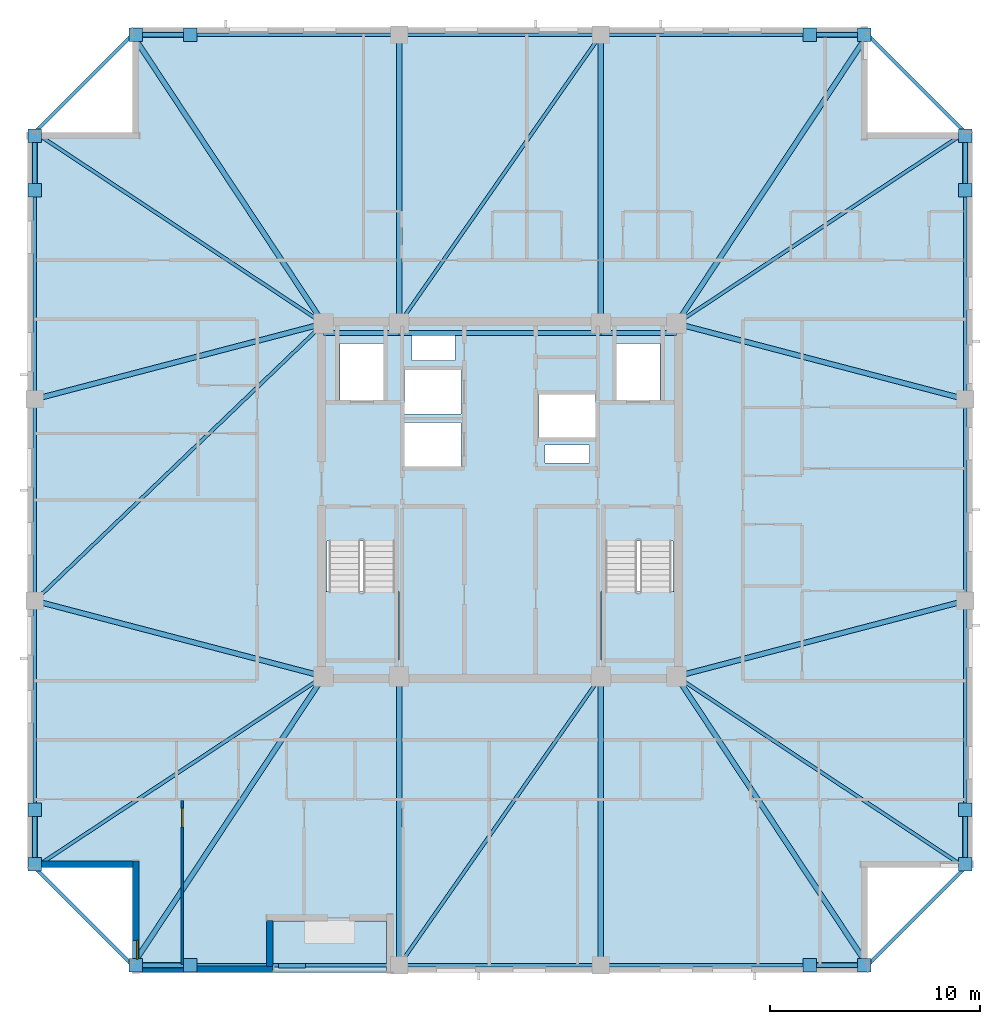
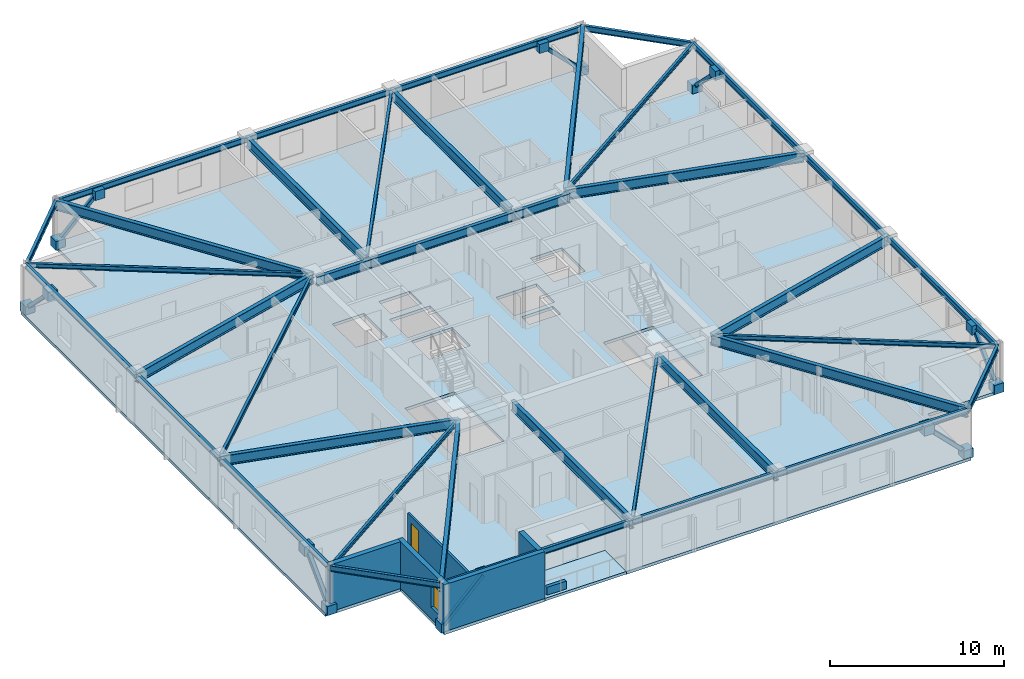
# One storey, part 6 of 15: 38 beams, 16 plates, 8 members, 6 walls, 4 slabs, 1 door, 1 window, 2 openings, 2 elements without a shape of their own.
"""IFC4 building model written with IfcOpenShell, lengths in metres."""

from ifc_helpers import new_model, si_unit, direction, frame, frame_2d, origin, origin_2d, place, context, subcontext, project, spatial, polyline, rectangle, hollow_rectangle, i_section, outline, extrude, material, layer, layer_set, material_profile, profile_set, type_object, element, fill, aggregate, save


model = new_model("IFC4")

# Units and contexts
model_context = context("Model", 3, precision=1e-05, world=origin(), true_north=direction((0.0, 1.0)))
body_context = subcontext(model_context, "Body", "Model", "MODEL_VIEW")
ifc_project = project(units=[si_unit("LENGTHUNIT", "METRE"), si_unit("AREAUNIT", "SQUARE_METRE"), si_unit("VOLUMEUNIT", "CUBIC_METRE"), si_unit("PLANEANGLEUNIT", "RADIAN"), si_unit("MASSUNIT", "GRAM", prefix="KILO")], contexts=[model_context])

# Site, building, storey
site_placement = place(None, origin())
site = spatial("IfcSite", under=ifc_project, at=site_placement, CompositionType="ELEMENT")
building_placement = place(site_placement, origin())
building = spatial("IfcBuilding", under=site, at=building_placement, Name="Cairnveth Concourse Tower", CompositionType="ELEMENT")
storey_placement = place(building_placement, frame((0.0, 0.0, 265.5)))
storey = spatial("IfcBuildingStorey", under=building, at=storey_placement, Name="L73", CompositionType="ELEMENT", Elevation=265.5)

# Beams
ifc_material_1 = material(Name="Steel Grade 350", Category="steel")
ifc_material_profile_1 = material_profile(ifc_material_1, i_section(OverallWidth=0.22802734375, OverallDepth=0.60693359375, WebThickness=0.01123046875, FlangeThickness=0.017333984375, FilletRadius=0.013916015625, at=origin_2d()), Name="610UB113")
ifc_profile_set_1 = profile_set([ifc_material_profile_1], Name="Steel Grade 350")
beam_type_1 = type_object("IfcBeamType", Name="CORE TIE BEAM 610UB113", PredefinedType="T_BEAM", material=ifc_profile_set_1)
for number, where, z_axis, x_axis, name in (
    (1, (43.60009765625, 46.949951171875, 2.986572265625), (1.0, 0.0, 0.0), (0.0, 1.0, 0.0), "Beam CT-N1 L73"),
    (2, (56.800048828125, 46.949951171875, 2.986572265625), (1.0, 0.0, 0.0), (0.0, 1.0, 0.0), "Beam CT-N3 L73"),
):
    element("IfcBeam", number, at=place(storey_placement, frame(where, z_axis=z_axis, x_axis=x_axis)), inside=storey, type_object=beam_type_1, Name=name, PredefinedType="T_BEAM", context=body_context, shape_type="SweptSolid", body=[
        extrude(i_section(OverallWidth=0.22802734375, OverallDepth=0.60693359375, WebThickness=0.01123046875, FlangeThickness=0.017333984375, FilletRadius=0.013916015625, at=origin_2d()), origin(), (0.0, 0.0, 1.0), 3.599853515625),
    ])
beam_1_placement = place(storey_placement, frame((47.199951171875, 46.949951171875, 2.986572265625), z_axis=(1.0, 0.0, 0.0), x_axis=(0.0, 1.0, 0.0)))
element("IfcBeam", 3, at=beam_1_placement, inside=storey, type_object=beam_type_1, Name="Beam CT-N2 L73", PredefinedType="T_BEAM", context=body_context, shape_type="SweptSolid", body=[
    extrude(i_section(OverallWidth=0.22802734375, OverallDepth=0.60693359375, WebThickness=0.01123046875, FlangeThickness=0.017333984375, FilletRadius=0.013916015625, at=origin_2d()), origin(), (0.0, 0.0, 1.0), 9.60009765625),
])
ifc_material_profile_2 = material_profile(ifc_material_1, i_section(OverallWidth=0.166015625, OverallDepth=0.306884765625, WebThickness=0.006591796875, FlangeThickness=0.01171875, FilletRadius=0.010986328125, at=origin_2d()), Name="310UB46.2")
ifc_profile_set_2 = profile_set([ifc_material_profile_2], Name="Steel Grade 350")
beam_type_2 = type_object("IfcBeamType", Name="ZONE 3 FLOOR JOIST 310UB46.2", PredefinedType="JOIST", material=ifc_profile_set_2)
for number, where, z_axis, x_axis, name in (
    (4, (29.85009765625, 21.5, 3.136474609375), (0.833908956207, 0.551902031848, 0.0), (-0.551902031848, 0.833908956207, 0.0), "Beam FJ-CSW2 L73"),
    (5, (74.14990234375, 21.5, 3.136474609375), (-0.833908956207, 0.551902031848, 0.0), (-0.551902031848, -0.833908956207, 0.0), "Beam FJ-CSE2 L73"),
    (6, (74.14990234375, 56.5, 3.136474609375), (-0.833908956207, -0.551902031848, 0.0), (0.551902031848, -0.833908956207, 0.0), "Beam FJ-CNE2 L73"),
    (7, (29.85009765625, 56.5, 3.136474609375), (0.833908956207, -0.551902031848, 0.0), (0.551902031848, 0.833908956207, 0.0), "Beam FJ-CNW2 L73"),
):
    element("IfcBeam", number, at=place(storey_placement, frame(where, z_axis=z_axis, x_axis=x_axis)), inside=storey, type_object=beam_type_2, Name=name, PredefinedType="JOIST", context=body_context, shape_type="SweptSolid", body=[
        extrude(i_section(OverallWidth=0.166015625, OverallDepth=0.306884765625, WebThickness=0.006591796875, FlangeThickness=0.01171875, FilletRadius=0.010986328125, at=origin_2d()), origin(), (0.0, 0.0, 1.0), 16.488525390625),
    ])
for number, where, z_axis, x_axis, name in (
    (8, (47.199951171875, 16.85009765625, 3.136474609375), (0.572465304893, 0.819928944905, 0.0), (-0.819928944905, 0.572465304893, 0.0), "Beam FJ-S-M1 L73"),
    (9, (47.199951171875, 47.39990234375, 3.136474609375), (0.572465304893, 0.819928944905, 0.0), (-0.819928944905, 0.572465304893, 0.0), "Beam FJ-N-M1 L73"),
):
    element("IfcBeam", number, at=place(storey_placement, frame(where, z_axis=z_axis, x_axis=x_axis)), inside=storey, type_object=beam_type_2, Name=name, PredefinedType="JOIST", context=body_context, shape_type="SweptSolid", body=[
        extrude(i_section(OverallWidth=0.166015625, OverallDepth=0.306884765625, WebThickness=0.006591796875, FlangeThickness=0.01171875, FilletRadius=0.010986328125, at=origin_2d()), origin(), (0.0, 0.0, 1.0), 16.769775390625),
    ])
beam_2_placement = place(storey_placement, frame((29.85009765625, 34.199951171875, 3.136474609375), z_axis=(0.721388600838, 0.692530495055, 0.0), x_axis=(-0.692530495055, 0.721388600838, 0.0)))
element("IfcBeam", 10, at=beam_2_placement, inside=storey, type_object=beam_type_2, Name="Beam FJ-W-M1 L73", PredefinedType="JOIST", context=body_context, shape_type="SweptSolid", body=[
    extrude(i_section(OverallWidth=0.166015625, OverallDepth=0.306884765625, WebThickness=0.006591796875, FlangeThickness=0.01171875, FilletRadius=0.010986328125, at=origin_2d()), origin(), (0.0, 0.0, 1.0), 19.060546875),
])

# Members
ifc_material_2 = material(Name="Steel C350L0 (350 MPa)", Category="steel")
ifc_material_profile_3 = material_profile(ifc_material_2, hollow_rectangle(XDim=0.25, YDim=0.25, WallThickness=0.012451171875, InnerFilletRadius=0.012939453125, OuterFilletRadius=0.02490234375, at=origin_2d()), Name="250x250x12.5SHS")
ifc_profile_set_3 = profile_set([ifc_material_profile_3], Name="Steel C350L0 (350 MPa)")
member_type = type_object("IfcMemberType", Name="ZONE 3 PIER BRACE 250X250X12.5SHS", PredefinedType="BRACE", material=ifc_profile_set_3)
for number, where, z_axis, x_axis, name in (
    (11, (34.64990234375, 16.85009765625, 0.25), (0.708469186186, 0.0, 0.705741746126), (0.0, 1.0, 0.0), "Structural Brace PB-S1 L73"),
    (12, (69.35009765625, 16.85009765625, 0.25), (-0.708469186186, 0.0, 0.705741746126), (0.0, -1.0, 0.0), "Structural Brace PB-S2 L73"),
    (13, (34.64990234375, 61.14990234375, 0.25), (0.708469186186, 0.0, 0.705741746126), (0.0, 1.0, 0.0), "Structural Brace PB-N1 L73"),
    (14, (69.35009765625, 61.14990234375, 0.25), (-0.708469186186, 0.0, 0.705741746126), (0.0, -1.0, 0.0), "Structural Brace PB-N2 L73"),
    (15, (29.85009765625, 21.64990234375, 0.25), (0.0, 0.708469186186, 0.705741746126), (-1.0, 0.0, 0.0), "Structural Brace PB-W1 L73"),
    (16, (29.85009765625, 56.35009765625, 0.25), (0.0, -0.708469186186, 0.705741746126), (1.0, 0.0, 0.0), "Structural Brace PB-W2 L73"),
    (17, (74.14990234375, 21.64990234375, 0.25), (0.0, 0.708469186186, 0.705741746126), (-1.0, 0.0, 0.0), "Structural Brace PB-E1 L73"),
    (18, (74.14990234375, 56.35009765625, 0.25), (0.0, -0.708469186186, 0.705741746126), (1.0, 0.0, 0.0), "Structural Brace PB-E2 L73"),
):
    element("IfcMember", number, at=place(storey_placement, frame(where, z_axis=z_axis, x_axis=x_axis)), inside=storey, type_object=member_type, Name=name, PredefinedType="BRACE", context=body_context, shape_type="SweptSolid", body=[
        extrude(hollow_rectangle(XDim=0.25, YDim=0.25, WallThickness=0.012451171875, InnerFilletRadius=0.012939453125, OuterFilletRadius=0.02490234375, at=origin_2d()), origin(), (0.0, 0.0, 1.0), 3.669921875),
    ])

# Beams
ifc_material_profile_4 = material_profile(ifc_material_1, i_section(OverallWidth=0.25, OverallDepth=0.69189453125, WebThickness=0.010009765625, FlangeThickness=0.02490234375, at=origin_2d()), Name="700WB150")
ifc_profile_set_4 = profile_set([ifc_material_profile_4], Name="Steel Grade 350")
beam_type_3 = type_object("IfcBeamType", Name="ZONE 3 RADIAL GIRDER 700WB150", PredefinedType="BEAM", material=ifc_profile_set_4)
for number, where, z_axis, x_axis, name in (
    (19, (47.199951171875, 16.85009765625, 2.944091796875), (0.0, 1.0, 0.0), (-1.0, 0.0, 0.0), "Beam RG-S1 L73"),
    (20, (56.800048828125, 16.85009765625, 2.944091796875), (0.0, 1.0, 0.0), (-1.0, 0.0, 0.0), "Beam RG-S2 L73"),
    (21, (47.199951171875, 47.39990234375, 2.944091796875), (0.0, 1.0, 0.0), (-1.0, 0.0, 0.0), "Beam RG-N1 L73"),
    (22, (56.800048828125, 47.39990234375, 2.944091796875), (0.0, 1.0, 0.0), (-1.0, 0.0, 0.0), "Beam RG-N2 L73"),
):
    element("IfcBeam", number, at=place(storey_placement, frame(where, z_axis=z_axis, x_axis=x_axis)), inside=storey, type_object=beam_type_3, Name=name, PredefinedType="BEAM", context=body_context, shape_type="SweptSolid", body=[
        extrude(i_section(OverallWidth=0.25, OverallDepth=0.69189453125, WebThickness=0.010009765625, FlangeThickness=0.02490234375, at=origin_2d()), origin(), (0.0, 0.0, 1.0), 13.75),
    ])
for number, where, z_axis, x_axis, name in (
    (23, (29.85009765625, 34.199951171875, 2.944091796875), (0.967395273598, -0.253271365575, 0.0), (0.253271365575, 0.967395273598, 0.0), "Beam RG-W1 L73"),
    (24, (29.85009765625, 43.800048828125, 2.944091796875), (0.967395273598, 0.253271365575, 0.0), (-0.253271365575, 0.967395273598, 0.0), "Beam RG-W2 L73"),
    (25, (60.39990234375, 30.60009765625, 2.944091796875), (0.967395273598, 0.253271365575, 0.0), (-0.253271365575, 0.967395273598, 0.0), "Beam RG-E1 L73"),
    (26, (60.39990234375, 47.39990234375, 2.944091796875), (0.967395273598, -0.253271365575, 0.0), (0.253271365575, 0.967395273598, 0.0), "Beam RG-E2 L73"),
):
    element("IfcBeam", number, at=place(storey_placement, frame(where, z_axis=z_axis, x_axis=x_axis)), inside=storey, type_object=beam_type_3, Name=name, PredefinedType="BEAM", context=body_context, shape_type="SweptSolid", body=[
        extrude(i_section(OverallWidth=0.25, OverallDepth=0.69189453125, WebThickness=0.010009765625, FlangeThickness=0.02490234375, at=origin_2d()), origin(), (0.0, 0.0, 1.0), 14.21337890625),
    ])
for number, where, z_axis, x_axis, name in (
    (27, (34.5, 16.85009765625, 2.944091796875), (0.551902031848, 0.833908956207, 0.0), (-0.833908956207, 0.551902031848, 0.0), "Beam RG-CSW L73"),
    (28, (69.5, 16.85009765625, 2.944091796875), (-0.551902031848, 0.833908956207, 0.0), (-0.833908956207, -0.551902031848, 0.0), "Beam RG-CSE L73"),
    (29, (69.5, 61.14990234375, 2.944091796875), (-0.551902031848, -0.833908956207, 0.0), (0.833908956207, -0.551902031848, 0.0), "Beam RG-CNE L73"),
    (30, (34.5, 61.14990234375, 2.944091796875), (0.551902031848, -0.833908956207, 0.0), (0.833908956207, 0.551902031848, 0.0), "Beam RG-CNW L73"),
):
    element("IfcBeam", number, at=place(storey_placement, frame(where, z_axis=z_axis, x_axis=x_axis)), inside=storey, type_object=beam_type_3, Name=name, PredefinedType="BEAM", context=body_context, shape_type="SweptSolid", body=[
        extrude(i_section(OverallWidth=0.25, OverallDepth=0.69189453125, WebThickness=0.010009765625, FlangeThickness=0.02490234375, at=origin_2d()), origin(), (0.0, 0.0, 1.0), 16.488525390625),
    ])
ifc_material_profile_5 = material_profile(ifc_material_1, i_section(OverallWidth=0.177978515625, OverallDepth=0.406005859375, WebThickness=0.0078125, FlangeThickness=0.0126953125, FilletRadius=0.010986328125, at=origin_2d()), Name="410UB59.7")
ifc_profile_set_5 = profile_set([ifc_material_profile_5], Name="Steel Grade 350")
beam_type_4 = type_object("IfcBeamType", Name="ZONE 3 SPANDREL BEAM 410UB59.7", PredefinedType="SPANDREL", material=ifc_profile_set_5)
beam_3_placement = place(storey_placement, frame((34.5, 16.85009765625, 3.0869140625), z_axis=(1.0, 0.0, 0.0), x_axis=(0.0, 1.0, 0.0)))
element("IfcBeam", 31, at=beam_3_placement, inside=storey, type_object=beam_type_4, Name="Beam SP-S1 L73", PredefinedType="SPANDREL", context=body_context, shape_type="SweptSolid", body=[
    extrude(i_section(OverallWidth=0.177978515625, OverallDepth=0.406005859375, WebThickness=0.0078125, FlangeThickness=0.0126953125, FilletRadius=0.010986328125, at=origin_2d()), origin(), (0.0, 0.0, 1.0), 12.699951171875),
])
beam_4_placement = place(storey_placement, frame((47.199951171875, 16.85009765625, 3.0869140625), z_axis=(1.0, 0.0, 0.0), x_axis=(0.0, 1.0, 0.0)))
element("IfcBeam", 32, at=beam_4_placement, inside=storey, type_object=beam_type_4, Name="Beam SP-S2 L73", PredefinedType="SPANDREL", context=body_context, shape_type="SweptSolid", body=[
    extrude(i_section(OverallWidth=0.177978515625, OverallDepth=0.406005859375, WebThickness=0.0078125, FlangeThickness=0.0126953125, FilletRadius=0.010986328125, at=origin_2d()), origin(), (0.0, 0.0, 1.0), 9.60009765625),
])
for number, where, z_axis, x_axis, name in (
    (33, (56.800048828125, 16.85009765625, 3.0869140625), (1.0, 0.0, 0.0), (0.0, 1.0, 0.0), "Beam SP-S3 L73"),
    (34, (34.5, 61.14990234375, 3.0869140625), (1.0, 0.0, 0.0), (0.0, 1.0, 0.0), "Beam SP-N1 L73"),
):
    element("IfcBeam", number, at=place(storey_placement, frame(where, z_axis=z_axis, x_axis=x_axis)), inside=storey, type_object=beam_type_4, Name=name, PredefinedType="SPANDREL", context=body_context, shape_type="SweptSolid", body=[
        extrude(i_section(OverallWidth=0.177978515625, OverallDepth=0.406005859375, WebThickness=0.0078125, FlangeThickness=0.0126953125, FilletRadius=0.010986328125, at=origin_2d()), origin(), (0.0, 0.0, 1.0), 12.699951171875),
    ])
beam_5_placement = place(storey_placement, frame((47.199951171875, 61.14990234375, 3.0869140625), z_axis=(1.0, 0.0, 0.0), x_axis=(0.0, 1.0, 0.0)))
element("IfcBeam", 35, at=beam_5_placement, inside=storey, type_object=beam_type_4, Name="Beam SP-N2 L73", PredefinedType="SPANDREL", context=body_context, shape_type="SweptSolid", body=[
    extrude(i_section(OverallWidth=0.177978515625, OverallDepth=0.406005859375, WebThickness=0.0078125, FlangeThickness=0.0126953125, FilletRadius=0.010986328125, at=origin_2d()), origin(), (0.0, 0.0, 1.0), 9.60009765625),
])
for number, where, z_axis, x_axis, name in (
    (36, (56.800048828125, 61.14990234375, 3.0869140625), (1.0, 0.0, 0.0), (0.0, 1.0, 0.0), "Beam SP-N3 L73"),
    (37, (29.85009765625, 21.5, 3.0869140625), (0.0, 1.0, 0.0), (-1.0, 0.0, 0.0), "Beam SP-W1 L73"),
):
    element("IfcBeam", number, at=place(storey_placement, frame(where, z_axis=z_axis, x_axis=x_axis)), inside=storey, type_object=beam_type_4, Name=name, PredefinedType="SPANDREL", context=body_context, shape_type="SweptSolid", body=[
        extrude(i_section(OverallWidth=0.177978515625, OverallDepth=0.406005859375, WebThickness=0.0078125, FlangeThickness=0.0126953125, FilletRadius=0.010986328125, at=origin_2d()), origin(), (0.0, 0.0, 1.0), 12.699951171875),
    ])
beam_6_placement = place(storey_placement, frame((29.85009765625, 34.199951171875, 3.0869140625), z_axis=(0.0, 1.0, 0.0), x_axis=(-1.0, 0.0, 0.0)))
element("IfcBeam", 38, at=beam_6_placement, inside=storey, type_object=beam_type_4, Name="Beam SP-W2 L73", PredefinedType="SPANDREL", context=body_context, shape_type="SweptSolid", body=[
    extrude(i_section(OverallWidth=0.177978515625, OverallDepth=0.406005859375, WebThickness=0.0078125, FlangeThickness=0.0126953125, FilletRadius=0.010986328125, at=origin_2d()), origin(), (0.0, 0.0, 1.0), 9.60009765625),
])
for number, where, z_axis, x_axis, name in (
    (39, (29.85009765625, 43.800048828125, 3.0869140625), (0.0, 1.0, 0.0), (-1.0, 0.0, 0.0), "Beam SP-W3 L73"),
    (40, (74.14990234375, 21.5, 3.0869140625), (0.0, 1.0, 0.0), (-1.0, 0.0, 0.0), "Beam SP-E1 L73"),
):
    element("IfcBeam", number, at=place(storey_placement, frame(where, z_axis=z_axis, x_axis=x_axis)), inside=storey, type_object=beam_type_4, Name=name, PredefinedType="SPANDREL", context=body_context, shape_type="SweptSolid", body=[
        extrude(i_section(OverallWidth=0.177978515625, OverallDepth=0.406005859375, WebThickness=0.0078125, FlangeThickness=0.0126953125, FilletRadius=0.010986328125, at=origin_2d()), origin(), (0.0, 0.0, 1.0), 12.699951171875),
    ])
beam_7_placement = place(storey_placement, frame((74.14990234375, 34.199951171875, 3.0869140625), z_axis=(0.0, 1.0, 0.0), x_axis=(-1.0, 0.0, 0.0)))
element("IfcBeam", 41, at=beam_7_placement, inside=storey, type_object=beam_type_4, Name="Beam SP-E2 L73", PredefinedType="SPANDREL", context=body_context, shape_type="SweptSolid", body=[
    extrude(i_section(OverallWidth=0.177978515625, OverallDepth=0.406005859375, WebThickness=0.0078125, FlangeThickness=0.0126953125, FilletRadius=0.010986328125, at=origin_2d()), origin(), (0.0, 0.0, 1.0), 9.60009765625),
])
beam_8_placement = place(storey_placement, frame((74.14990234375, 43.800048828125, 3.0869140625), z_axis=(0.0, 1.0, 0.0), x_axis=(-1.0, 0.0, 0.0)))
element("IfcBeam", 42, at=beam_8_placement, inside=storey, type_object=beam_type_4, Name="Beam SP-E3 L73", PredefinedType="SPANDREL", context=body_context, shape_type="SweptSolid", body=[
    extrude(i_section(OverallWidth=0.177978515625, OverallDepth=0.406005859375, WebThickness=0.0078125, FlangeThickness=0.0126953125, FilletRadius=0.010986328125, at=origin_2d()), origin(), (0.0, 0.0, 1.0), 12.699951171875),
])
for number, where, z_axis, x_axis, name in (
    (43, (29.85009765625, 21.5, 3.0869140625), (0.707106781187, -0.707106781187, 0.0), (0.707106781187, 0.707106781187, 0.0), "Beam SP-SW L73"),
    (44, (69.5, 16.85009765625, 3.0869140625), (0.707106781187, 0.707106781187, 0.0), (-0.707106781187, 0.707106781187, 0.0), "Beam SP-SE L73"),
    (45, (69.5, 61.14990234375, 3.0869140625), (0.707106781187, -0.707106781187, 0.0), (0.707106781187, 0.707106781187, 0.0), "Beam SP-NE L73"),
    (46, (29.85009765625, 56.5, 3.0869140625), (0.707106781187, 0.707106781187, 0.0), (-0.707106781187, 0.707106781187, 0.0), "Beam SP-NW L73"),
):
    element("IfcBeam", number, at=place(storey_placement, frame(where, z_axis=z_axis, x_axis=x_axis)), inside=storey, type_object=beam_type_4, Name=name, PredefinedType="SPANDREL", context=body_context, shape_type="SweptSolid", body=[
        extrude(i_section(OverallWidth=0.177978515625, OverallDepth=0.406005859375, WebThickness=0.0078125, FlangeThickness=0.0126953125, FilletRadius=0.010986328125, at=origin_2d()), origin(), (0.0, 0.0, 1.0), 6.575927734375),
    ])

# Plates
ifc_layer_1 = layer(ifc_material_1, 0.031982421875)
ifc_layer_set_1 = layer_set([ifc_layer_1], Name="Steel Grade 350")
plate_type = type_object("IfcPlateType", Name="PERIMETER BRACE GUSSET PLATE 32", PredefinedType="USERDEFINED", material=ifc_layer_set_1)
for number, where, z_axis, x_axis, name in (
    (47, (34.64990234375, 16.85009765625, -0.06982421875), (0.0, 0.0, 1.0), (1.0, 0.0, 0.0), "Structural Node Plate 1253 L73"),
    (48, (37.25, 16.85009765625, 2.52001953125), (0.0, 0.0, 1.0), (1.0, 0.0, 0.0), "Structural Node Plate 1254 L73"),
    (49, (69.35009765625, 16.85009765625, -0.06982421875), (0.0, 0.0, 1.0), (1.0, 0.0, 0.0), "Structural Node Plate 1255 L73"),
    (50, (66.75, 16.85009765625, 2.52001953125), (0.0, 0.0, 1.0), (1.0, 0.0, 0.0), "Structural Node Plate 1256 L73"),
    (51, (34.64990234375, 61.14990234375, -0.06982421875), (0.0, 0.0, 1.0), (1.0, 0.0, 0.0), "Structural Node Plate 1257 L73"),
    (52, (37.25, 61.14990234375, 2.52001953125), (0.0, 0.0, 1.0), (1.0, 0.0, 0.0), "Structural Node Plate 1258 L73"),
    (53, (69.35009765625, 61.14990234375, -0.06982421875), (0.0, 0.0, 1.0), (1.0, 0.0, 0.0), "Structural Node Plate 1259 L73"),
    (54, (66.75, 61.14990234375, 2.52001953125), (0.0, 0.0, 1.0), (1.0, 0.0, 0.0), "Structural Node Plate 1260 L73"),
    (55, (29.85009765625, 21.64990234375, -0.06982421875), (0.0, 0.0, 1.0), (1.0, 0.0, 0.0), "Structural Node Plate 1261 L73"),
    (56, (29.85009765625, 24.25, 2.52001953125), (0.0, 0.0, 1.0), (1.0, 0.0, 0.0), "Structural Node Plate 1262 L73"),
    (57, (29.85009765625, 56.35009765625, -0.06982421875), (0.0, 0.0, 1.0), (1.0, 0.0, 0.0), "Structural Node Plate 1263 L73"),
    (58, (29.85009765625, 53.75, 2.52001953125), (0.0, 0.0, 1.0), (1.0, 0.0, 0.0), "Structural Node Plate 1264 L73"),
    (59, (74.14990234375, 21.64990234375, -0.06982421875), (0.0, 0.0, 1.0), (1.0, 0.0, 0.0), "Structural Node Plate 1265 L73"),
    (60, (74.14990234375, 24.25, 2.52001953125), (0.0, 0.0, 1.0), (1.0, 0.0, 0.0), "Structural Node Plate 1266 L73"),
    (61, (74.14990234375, 56.35009765625, -0.06982421875), (0.0, 0.0, 1.0), (1.0, 0.0, 0.0), "Structural Node Plate 1267 L73"),
    (62, (74.14990234375, 53.75, 2.52001953125), (0.0, 0.0, 1.0), (1.0, 0.0, 0.0), "Structural Node Plate 1268 L73"),
):
    element("IfcPlate", number, at=place(storey_placement, frame(where, z_axis=z_axis, x_axis=x_axis)), inside=storey, type_object=plate_type, Name=name, ObjectType="GUSSET PLATE", PredefinedType="USERDEFINED", context=body_context, shape_type="SweptSolid", body=[
        extrude(rectangle(XDim=0.639892578125, YDim=0.639892578125, at=origin_2d()), origin(), (0.0, 0.0, 1.0), 0.639892578125),
    ])

# Slab
ifc_material_3 = material(Name="Concrete N50 (50 MPa)", Category="concrete")
ifc_layer_2 = layer(ifc_material_3, 0.18994140625)
ifc_layer_set_2 = layer_set([ifc_layer_2], Name="Concrete N50 (50 MPa)")
slab_type_1 = type_object("IfcSlabType", Name="SPIRAL OUTDOOR TERRACE SLAB 190", PredefinedType="FLOOR", material=ifc_layer_set_2)
slab_1_placement = place(storey_placement, frame((0.0, 0.0, -0.18994140625)))
element("IfcSlab", 63, at=slab_1_placement, inside=storey, type_object=slab_type_1, Name="Spiral Terrace Slab L73", PredefinedType="FLOOR", context=body_context, shape_type="SweptSolid", body=[
    extrude(outline(polyline([(41.199951171875, 16.5), (46.60009765625, 16.5), (46.60009765625, 18.949951171875), (41.199951171875, 18.949951171875), (41.199951171875, 16.5)])), origin(), (0.0, 0.0, 1.0), 0.18994140625),
])

# Stair, slab
ifc_material_4 = material(Name="Precast concrete N50 (50 MPa)", Category="concrete")
stair_type = type_object("IfcStairType", Name="CORE DOG-LEG FIRE STAIR 1500", PredefinedType="HALF_TURN_STAIR", material=ifc_material_4)
stair_1_placement = place(storey_placement, origin())
stair_1 = element("IfcStair", 64, at=stair_1_placement, inside=storey, type_object=stair_type, Name="L73 Fire-Isolated Stair ST-1", PredefinedType="HALF_TURN_STAIR")
ifc_layer_3 = layer(ifc_material_3, 0.199951171875)
ifc_layer_set_3 = layer_set([ifc_layer_3], Name="Concrete N50 (50 MPa)")
slab_type_2 = type_object("IfcSlabType", Name="STAIR HALF LANDING SLAB 200", PredefinedType="LANDING", material=ifc_layer_set_3)
slab_2_placement = place(storey_placement, frame((0.0, 0.0, 1.550048828125)))
slab_2 = element("IfcSlab", 65, at=slab_2_placement, type_object=slab_type_2, Name="ST-1 landing 1", PredefinedType="LANDING", context=body_context, shape_type="SweptSolid", body=[
    extrude(outline(polyline([(43.6201171875, 34.639892578125), (43.6201171875, 31.3701171875), (47.199951171875, 31.3701171875), (47.199951171875, 34.639892578125), (43.6201171875, 34.639892578125)])), origin(), (0.0, 0.0, 1.0), 0.199951171875),
])
aggregate(stair_1, [slab_2])

stair_2_placement = place(storey_placement, origin())
stair_2 = element("IfcStair", 66, at=stair_2_placement, inside=storey, type_object=stair_type, Name="L73 Fire-Isolated Stair ST-2", PredefinedType="HALF_TURN_STAIR")
slab_3_placement = place(storey_placement, frame((0.0, 0.0, 1.550048828125)))
slab_3 = element("IfcSlab", 67, at=slab_3_placement, type_object=slab_type_2, Name="ST-2 landing 1", PredefinedType="LANDING", context=body_context, shape_type="SweptSolid", body=[
    extrude(outline(polyline([(56.800048828125, 34.639892578125), (56.800048828125, 31.3701171875), (60.3798828125, 31.3701171875), (60.3798828125, 34.639892578125), (56.800048828125, 34.639892578125)])), origin(), (0.0, 0.0, 1.0), 0.199951171875),
])
aggregate(stair_2, [slab_3])

# Slab
ifc_layer_4 = layer(ifc_material_3, 0.2099609375)
ifc_layer_set_4 = layer_set([ifc_layer_4], Name="Concrete N50 (50 MPa)")
slab_type_3 = type_object("IfcSlabType", Name="UPPER TOWER COMPOSITE SLAB 210", PredefinedType="FLOOR", material=ifc_layer_set_4)
slab_4_placement = place(storey_placement, frame((0.0, 0.0, -0.2099609375)))
element("IfcSlab", 68, at=slab_4_placement, inside=storey, type_object=slab_type_3, Name="Tower Floor Slab L73", PredefinedType="FLOOR", context=body_context, shape_type="SweptSolid", body=[
    extrude(outline(polyline([(41.199951171875, 16.5), (41.199951171875, 18.949951171875), (46.60009765625, 18.949951171875), (46.60009765625, 16.5), (69.5, 16.5), (69.5, 21.5), (74.5, 21.5), (74.5, 56.5), (69.5, 56.5), (69.5, 61.5), (34.5, 61.5), (34.5, 56.5), (29.5, 56.5), (29.5, 21.5), (34.5, 21.5), (34.5, 16.5), (41.199951171875, 16.5)]), holes=[polyline([(43.760009765625, 31.360107421875), (47.06005859375, 31.360107421875), (47.06005859375, 37.0400390625), (43.760009765625, 37.0400390625), (43.760009765625, 31.360107421875)]), polyline([(56.93994140625, 31.360107421875), (60.239990234375, 31.360107421875), (60.239990234375, 37.0400390625), (56.93994140625, 37.0400390625), (56.93994140625, 31.360107421875)]), polyline([(44.3701171875, 43.75), (46.469970703125, 43.75), (46.469970703125, 46.449951171875), (44.3701171875, 46.449951171875), (44.3701171875, 43.75)]), polyline([(57.530029296875, 43.75), (59.6298828125, 43.75), (59.6298828125, 46.449951171875), (57.530029296875, 46.449951171875), (57.530029296875, 43.75)]), polyline([(47.449951171875, 40.60009765625), (50.14990234375, 40.60009765625), (50.14990234375, 42.699951171875), (47.449951171875, 42.699951171875), (47.449951171875, 40.60009765625)]), polyline([(47.449951171875, 43.10009765625), (50.14990234375, 43.10009765625), (50.14990234375, 45.199951171875), (47.449951171875, 45.199951171875), (47.449951171875, 43.10009765625)]), polyline([(53.85009765625, 41.949951171875), (56.550048828125, 41.949951171875), (56.550048828125, 44.050048828125), (53.85009765625, 44.050048828125), (53.85009765625, 41.949951171875)]), polyline([(47.800048828125, 45.64990234375), (49.85009765625, 45.64990234375), (49.85009765625, 47.050048828125), (47.800048828125, 47.050048828125), (47.800048828125, 45.64990234375)]), polyline([(54.14990234375, 40.75), (56.25, 40.75), (56.25, 41.6201171875), (54.14990234375, 41.6201171875), (54.14990234375, 40.75)])]), origin(), (0.0, 0.0, 1.0), 0.2099609375),
])

# Wall, opening, door
ifc_material_5 = material(Name="Gypsum Plasterboard Partition", Category="gypsum")
ifc_layer_5 = layer(ifc_material_5, 0.139892578125)
ifc_layer_set_5 = layer_set([ifc_layer_5], Name="Gypsum Plasterboard Partition")
wall_type_1 = type_object("IfcWallType", Name="GYPSUM STUD PARTITION 140", PredefinedType="PARTITIONING", material=ifc_layer_set_5)
wall_1_placement = place(storey_placement, frame((36.8701171875, 16.8798828125, 0.0), z_axis=(0.0, 0.0, 1.0), x_axis=(0.0, 1.0, 0.0)))
wall_1 = element("IfcWall", 69, at=wall_1_placement, inside=storey, type_object=wall_type_1, Name="Interior Wall IW-L73-048", PredefinedType="PARTITIONING", context=body_context, shape_type="SweptSolid", body=[
    extrude(rectangle(XDim=7.817626953125, YDim=0.139892578125, at=frame_2d((3.90869140625, 0.0))), origin(), (0.0, 0.0, 1.0), 2.572998046875),
])
opening_1_placement = place(wall_1_placement, frame((6.5576171875, 0.0, 0.0)))
opening_1 = element("IfcOpeningElement", 70, at=opening_1_placement, cuts=wall_1, Name="Opening ID18", PredefinedType="OPENING", context=body_context, shape_type="SweptSolid", body=[
    extrude(rectangle(XDim=0.8798828125, YDim=2.10009765625, at=frame_2d((0.43994140625, 1.050048828125))), frame((0.0, 0.079833984375, 0.0), z_axis=(0.0, -1.0, 0.0), x_axis=(1.0, 0.0, 0.0)), (0.0, 0.0, 1.0), 0.159912109375),
])
ifc_material_6 = material(Name="Solid Core Hardwood Timber Leaf", Category="wood")
door_type = type_object("IfcDoorType", Name="INTERIOR SINGLE DOOR 880X2100", OperationType="NOTDEFINED", PredefinedType="DOOR", material=ifc_material_6)
door_placement = place(opening_1_placement, origin())
door = element("IfcDoor", 71, at=door_placement, inside=storey, type_object=door_type, Name="L73S1 Master Bedroom Door", OperationType="SINGLE_SWING_RIGHT", OverallHeight=2.10009765625, OverallWidth=0.8798828125, PredefinedType="DOOR", context=body_context, shape_type="SweptSolid", body=[
    extrude(rectangle(XDim=0.8798828125, YDim=2.10009765625, at=frame_2d((0.43994140625, 1.050048828125))), frame((0.0, 0.02490234375, 0.0), z_axis=(0.0, -1.0, 0.0), x_axis=(1.0, 0.0, 0.0)), (0.0, 0.0, 1.0), 0.050048828125),
])
fill(opening_1, door)

# Walls
ifc_material_7 = material(Name="Dressed Melbourne Bluestone Cladding", Category="masonry")
ifc_layer_6 = layer(ifc_material_7, 0.219970703125)
ifc_layer_set_6 = layer_set([ifc_layer_6], Name="Dressed Melbourne Bluestone Cladding")
wall_type_2 = type_object("IfcWallType", Name="TERRACE PLANTER CURB WALL 220", PredefinedType="PARAPET", material=ifc_layer_set_6)
wall_2_placement = place(storey_placement, frame((41.449951171875, 16.820068359375, 0.0), z_axis=(0.0, 0.0, 1.0), x_axis=(1.0, 0.0, 0.0)))
element("IfcWall", 72, at=wall_2_placement, inside=storey, type_object=wall_type_2, Name="Exterior Wall PLNT-L73-TERR", PredefinedType="PARAPET", context=body_context, shape_type="SweptSolid", body=[
    extrude(rectangle(XDim=1.300048828125, YDim=0.219970703125, at=frame_2d((0.64990234375, 0.0))), origin(), (0.0, 0.0, 1.0), 0.550048828125),
])
ifc_material_8 = material(Name="Melbourne Buff Fired Clay Brick Masonry", Category="masonry")
ifc_layer_7 = layer(ifc_material_8, 0.320068359375)
ifc_layer_set_7 = layer_set([ifc_layer_7], Name="Melbourne Buff Fired Clay Brick Masonry")
wall_type_3 = type_object("IfcWallType", Name="ZONE 3 BRICK PIER SPANDREL WALL 320", PredefinedType="SOLIDWALL", material=ifc_layer_set_7)
wall_3_placement = place(storey_placement, frame((41.199951171875, 16.659912109375, 0.0), z_axis=(0.0, 0.0, 1.0), x_axis=(-1.0, 0.0, 0.0)))
element("IfcWall", 73, at=wall_3_placement, inside=storey, type_object=wall_type_3, Name="Exterior Wall EW-L73-S00", PredefinedType="SOLIDWALL", context=body_context, shape_type="SweptSolid", body=[
    extrude(rectangle(XDim=6.40185546875, YDim=0.320068359375, at=frame_2d((3.200927734375, 0.0))), origin(), (0.0, 0.0, 1.0), 3.2900390625),
])

# Wall, opening, window
wall_4_placement = place(storey_placement, frame((34.659912109375, 16.5, 0.0), z_axis=(0.0, 0.0, 1.0), x_axis=(0.0, 1.0, 0.0)))
wall_4 = element("IfcWall", 74, at=wall_4_placement, inside=storey, type_object=wall_type_3, Name="Exterior Wall EW-L73-S01", PredefinedType="SOLIDWALL", context=body_context, shape_type="SweptSolid", body=[
    extrude(rectangle(XDim=5.320068359375, YDim=0.320068359375, at=frame_2d((2.66015625, 0.0))), origin(), (0.0, 0.0, 1.0), 3.2900390625),
])
opening_2_placement = place(wall_4_placement, frame((0.6298828125, 0.0, 0.800048828125)))
opening_2 = element("IfcOpeningElement", 75, at=opening_2_placement, cuts=wall_4, Name="Opening W13", PredefinedType="OPENING", context=body_context, shape_type="SweptSolid", body=[
    extrude(rectangle(XDim=0.89990234375, YDim=1.677978515625, at=frame_2d((0.449951171875, 0.8388671875))), frame((0.0, 0.169921875, 0.0), z_axis=(0.0, -1.0, 0.0), x_axis=(1.0, 0.0, 0.0)), (0.0, 0.0, 1.0), 0.340087890625),
])
ifc_material_9 = material(Name="Double Glazed Low-E Clear Glass", Category="glass")
window_type = type_object("IfcWindowType", Name="DEEP-SET BEDROOM LANCET WINDOW 900X1750", PartitioningType="DOUBLE_PANEL_VERTICAL", PredefinedType="WINDOW", material=ifc_material_9)
window_placement = place(opening_2_placement, origin())
window = element("IfcWindow", 76, at=window_placement, inside=storey, type_object=window_type, Name="Dwelling Lancet Window L73-DW1", OverallHeight=1.677978515625, OverallWidth=0.89990234375, PartitioningType="SINGLE_PANEL", PredefinedType="WINDOW", context=body_context, shape_type="SweptSolid", body=[
    extrude(rectangle(XDim=0.89990234375, YDim=1.677978515625, at=frame_2d((0.449951171875, 0.8388671875))), frame((0.0, -0.0400390625, 0.0), z_axis=(0.0, -1.0, 0.0), x_axis=(1.0, 0.0, 0.0)), (0.0, 0.0, 1.0), 0.06005859375),
])
fill(opening_2, window)

# Walls
wall_5_placement = place(storey_placement, frame((34.52197265625, 21.659912109375, 0.0), z_axis=(0.0, 0.0, 1.0), x_axis=(-1.0, 0.0, 0.0)))
element("IfcWall", 77, at=wall_5_placement, inside=storey, type_object=wall_type_3, Name="Exterior Wall EW-L73-S02", PredefinedType="SOLIDWALL", context=body_context, shape_type="SweptSolid", body=[
    extrude(rectangle(XDim=4.723876953125, YDim=0.320068359375, at=frame_2d((2.36181640625, 0.0))), origin(), (0.0, 0.0, 1.0), 3.2900390625),
])
wall_6_placement = place(storey_placement, frame((41.0400390625, 18.971923828125, 0.0), z_axis=(0.0, 0.0, 1.0), x_axis=(0.0, -1.0, 0.0)))
element("IfcWall", 78, at=wall_6_placement, inside=storey, type_object=wall_type_3, Name="Exterior Wall EW-L73-S15", PredefinedType="SOLIDWALL", context=body_context, shape_type="SweptSolid", body=[
    extrude(rectangle(XDim=2.173828125, YDim=0.320068359375, at=frame_2d((1.0869140625, 0.0))), origin(), (0.0, 0.0, 1.0), 3.2900390625),
])

save(model, "model.ifc")
